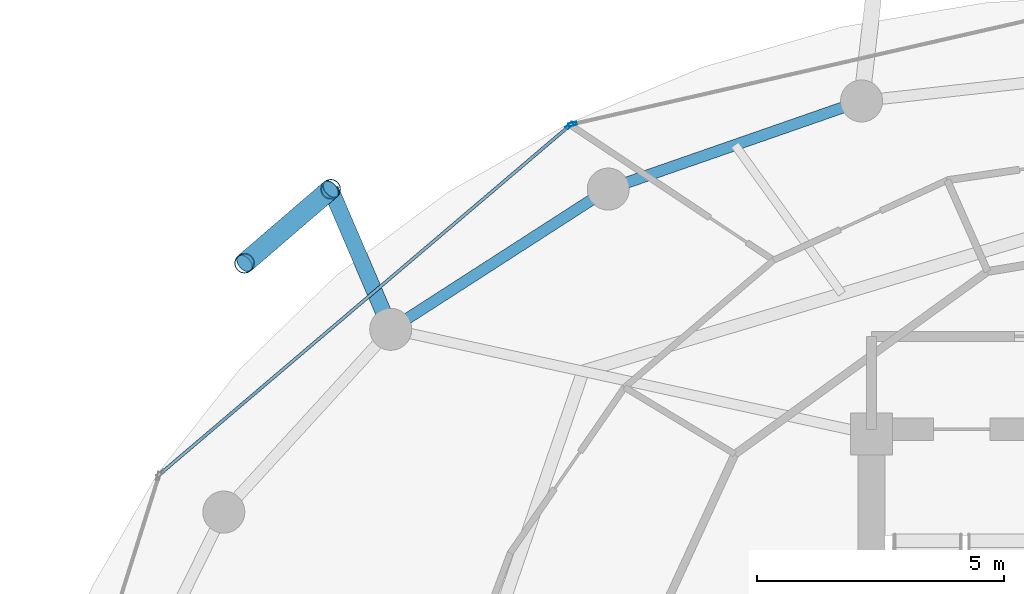
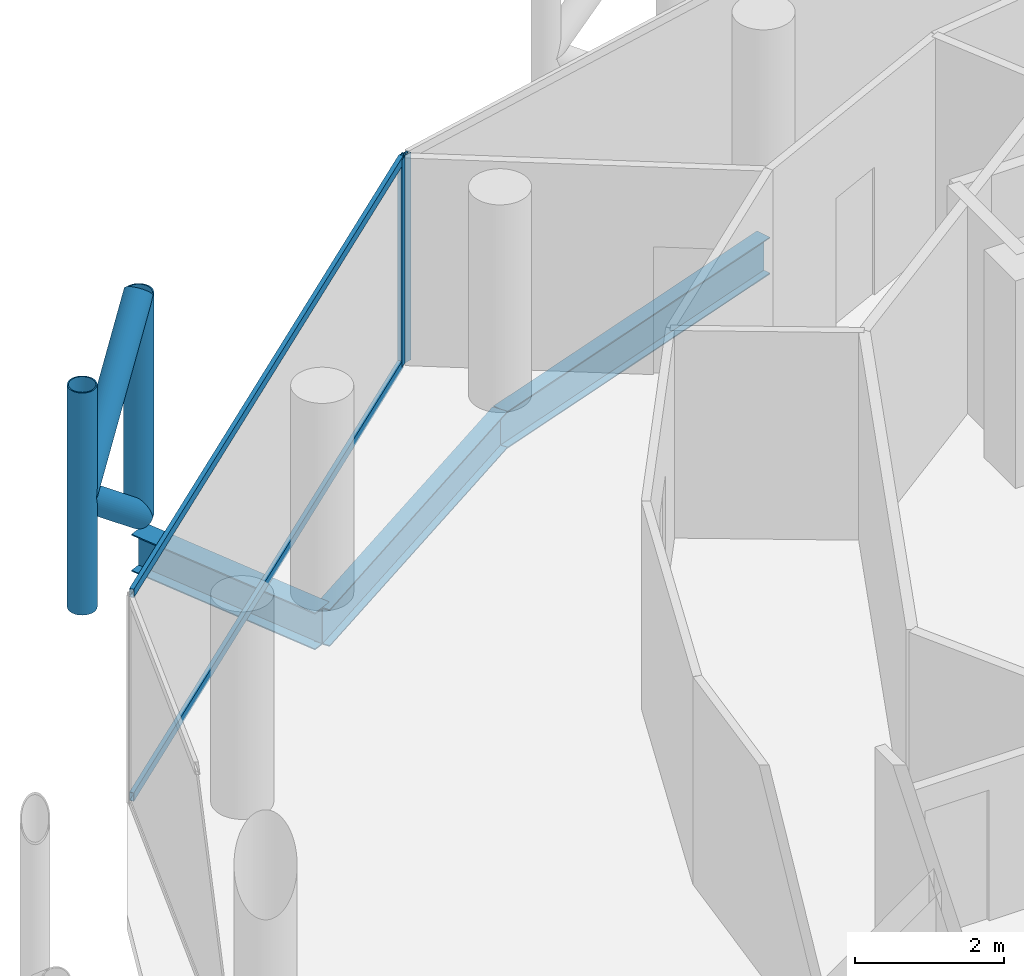
# One storey, part 18 of 27: 8 members, 3 beams, 2 elements without a shape of their own.
"""IFC4 building model written with IfcOpenShell, lengths in metres."""

from ifc_helpers import new_model, si_unit, direction, frame, origin, origin_2d, place, context, subcontext, project, spatial, hollow_rectangle, hollow_circle, i_section, extrude, material, layer, layer_set, material_profile, profile_set, type_object, element, aggregate, save


model = new_model("IFC4")

# Units and contexts
model_context = context("Model", 3, precision=1e-05, world=origin(), true_north=direction((0.0, 1.0)))
body_context = subcontext(model_context, "Body", "Model", "MODEL_VIEW")
ifc_project = project(units=[si_unit("LENGTHUNIT", "METRE"), si_unit("AREAUNIT", "SQUARE_METRE"), si_unit("VOLUMEUNIT", "CUBIC_METRE"), si_unit("PLANEANGLEUNIT", "RADIAN"), si_unit("MASSUNIT", "GRAM", prefix="KILO")], contexts=[model_context])

# Site, building, storey
site_placement = place(None, origin())
site = spatial("IfcSite", under=ifc_project, at=site_placement, CompositionType="ELEMENT")
building_placement = place(site_placement, origin())
building = spatial("IfcBuilding", under=site, at=building_placement, Name="Nuhasar Tower", CompositionType="ELEMENT")
storey_placement = place(building_placement, frame((0.0, 0.0, 237.35009765625)))
storey = spatial("IfcBuildingStorey", under=building, at=storey_placement, Name="L58", CompositionType="ELEMENT", Elevation=237.35009765625)

# Beams
ifc_material_1 = material(Name="Steel S355", Category="steel")
ifc_material_profile_1 = material_profile(ifc_material_1, i_section(OverallWidth=0.22802734375, OverallDepth=0.60791015625, WebThickness=0.01123046875, FlangeThickness=0.017333984375, at=origin_2d()), Name="W24X76")
ifc_profile_set_1 = profile_set([ifc_material_profile_1], Name="Steel S355")
beam_type_1 = type_object("IfcBeamType", Name="BM-RING-W24X76", PredefinedType="SPANDREL", material=ifc_profile_set_1)
beam_1_placement = place(storey_placement, frame((33.5, 44.0419921875, -0.544189453125), z_axis=(-0.944476764686, -0.328578211342, 0.0), x_axis=(0.328578211342, -0.944476764686, 0.0)))
element("IfcBeam", 1, at=beam_1_placement, inside=storey, type_object=beam_type_1, Name="L58 Perimeter Ring Spandrel 08", PredefinedType="SPANDREL", context=body_context, shape_type="SweptSolid", body=[
    extrude(i_section(OverallWidth=0.22802734375, OverallDepth=0.60791015625, WebThickness=0.01123046875, FlangeThickness=0.017333984375, at=origin_2d()), origin(), (0.0, 0.0, 1.0), 5.42626953125),
])
beam_2_placement = place(storey_placement, frame((28.375, 42.259033203125, -0.544189453125), z_axis=(-0.840502144969, -0.541808217272, 0.0), x_axis=(0.541808217272, -0.840502144969, 0.0)))
element("IfcBeam", 2, at=beam_2_placement, inside=storey, type_object=beam_type_1, Name="L58 Perimeter Ring Spandrel 09", PredefinedType="SPANDREL", context=body_context, shape_type="SweptSolid", body=[
    extrude(i_section(OverallWidth=0.22802734375, OverallDepth=0.60791015625, WebThickness=0.01123046875, FlangeThickness=0.017333984375, at=origin_2d()), origin(), (0.0, 0.0, 1.0), 5.236083984375),
])
ifc_material_profile_2 = material_profile(ifc_material_1, i_section(OverallWidth=0.323974609375, OverallDepth=0.611083984375, WebThickness=0.0126953125, FlangeThickness=0.01904296875, at=origin_2d()), Name="W24X104")
ifc_profile_set_2 = profile_set([ifc_material_profile_2], Name="Steel S355")
beam_type_2 = type_object("IfcBeamType", Name="BM-TIE-W24X104", PredefinedType="BEAM", material=ifc_profile_set_2)
beam_3_placement = place(storey_placement, frame((23.97412109375, 39.422119140625, -0.545166015625), z_axis=(-0.393680429682, 0.919247365667, 0.0), x_axis=(-0.919247365667, -0.393680429682, 0.0)))
element("IfcBeam", 3, at=beam_3_placement, inside=storey, type_object=beam_type_2, Name="L58 Exoskeleton Node Tie Beam 05", PredefinedType="BEAM", context=body_context, shape_type="SweptSolid", body=[
    extrude(i_section(OverallWidth=0.323974609375, OverallDepth=0.611083984375, WebThickness=0.0126953125, FlangeThickness=0.01904296875, at=origin_2d()), origin(), (0.0, 0.0, 1.0), 3.083984375),
])

# Curtain wall, member
ifc_material_2 = material(Name="Aluminium 6063-T6", Category="aluminium")
ifc_layer = layer(ifc_material_2, 0.18994140625)
ifc_layer_set = layer_set([ifc_layer], Name="Aluminium 6063-T6")
curtain_wall_type = type_object("IfcCurtainWallType", Name="CW-Z3-RES", PredefinedType="NOTDEFINED", material=ifc_layer_set)
curtain_wall_1_placement = place(storey_placement, origin())
curtain_wall_1 = element("IfcCurtainWall", 4, at=curtain_wall_1_placement, inside=storey, type_object=curtain_wall_type, Name="L58 Unitised Curtain Wall 04", PredefinedType="NOTDEFINED")
ifc_material_profile_3 = material_profile(ifc_material_2, hollow_rectangle(XDim=0.06494140625, YDim=0.169921875, WallThickness=0.0048828125, at=origin_2d()), Name="CWM-4")
ifc_profile_set_3 = profile_set([ifc_material_profile_3], Name="Aluminium 6063-T6")
member_type_1 = type_object("IfcMemberType", Name="CW-MUL-S4", PredefinedType="MULLION", material=ifc_profile_set_3)
member_1_placement = place(storey_placement, frame((27.651611328125, 43.5732421875, 0.0), z_axis=(0.0, 0.0, 1.0), x_axis=(0.222243176313, -0.974991266926, 0.0)))
member_1 = element("IfcMember", 5, at=member_1_placement, type_object=member_type_1, Name="CW-Z3 mullion 2", PredefinedType="MULLION", context=body_context, shape_type="SweptSolid", body=[
    extrude(hollow_rectangle(XDim=0.06494140625, YDim=0.169921875, WallThickness=0.0048828125, at=origin_2d()), origin(), (0.0, 0.0, 1.0), 3.409912109375),
])
aggregate(curtain_wall_1, [member_1])

# Curtain wall, members
curtain_wall_2_placement = place(storey_placement, origin())
curtain_wall_2 = element("IfcCurtainWall", 6, at=curtain_wall_2_placement, inside=storey, type_object=curtain_wall_type, Name="L58 Unitised Curtain Wall 05", PredefinedType="NOTDEFINED")
member_2_placement = place(storey_placement, frame((27.59521484375, 43.544921875, 0.0), z_axis=(0.0, 0.0, 1.0), x_axis=(0.64789521578, -0.761729472562, 0.0)))
member_2 = element("IfcMember", 7, at=member_2_placement, type_object=member_type_1, Name="CW-Z3 mullion 1", PredefinedType="MULLION", context=body_context, shape_type="SweptSolid", body=[
    extrude(hollow_rectangle(XDim=0.06494140625, YDim=0.169921875, WallThickness=0.0048828125, at=origin_2d()), origin(), (0.0, 0.0, 1.0), 3.409912109375),
])
ifc_material_profile_4 = material_profile(ifc_material_2, hollow_rectangle(XDim=0.06494140625, YDim=0.139892578125, WallThickness=0.00439453125, at=origin_2d()), Name="CWT-4")
ifc_profile_set_4 = profile_set([ifc_material_profile_4], Name="Aluminium 6063-T6")
member_type_2 = type_object("IfcMemberType", Name="CW-TRN-S4", PredefinedType="USERDEFINED", material=ifc_profile_set_4)
member_3_placement = place(storey_placement, frame((27.570556640625, 43.52392578125, 0.032470703125), z_axis=(-0.761730809511, -0.647893643928, 0.0), x_axis=(0.647893643928, -0.761730809511, 0.0)))
member_3 = element("IfcMember", 8, at=member_3_placement, type_object=member_type_2, Name="CW-Z3 transom 1.1", ObjectType="TRANSOM", PredefinedType="USERDEFINED", context=body_context, shape_type="SweptSolid", body=[
    extrude(hollow_rectangle(XDim=0.06494140625, YDim=0.139892578125, WallThickness=0.00439453125, at=origin_2d()), origin(), (0.0, 0.0, 1.0), 10.806884765625),
])
member_4_placement = place(storey_placement, frame((27.570556640625, 43.52392578125, 3.37744140625), z_axis=(-0.761730809511, -0.647893643928, 0.0), x_axis=(0.647893643928, -0.761730809511, 0.0)))
member_4 = element("IfcMember", 9, at=member_4_placement, type_object=member_type_2, Name="CW-Z3 transom 1.2", ObjectType="TRANSOM", PredefinedType="USERDEFINED", context=body_context, shape_type="SweptSolid", body=[
    extrude(hollow_rectangle(XDim=0.06494140625, YDim=0.139892578125, WallThickness=0.00439453125, at=origin_2d()), origin(), (0.0, 0.0, 1.0), 10.806884765625),
])
aggregate(curtain_wall_2, [member_2, member_3, member_4])

# Members
ifc_material_3 = material(Name="Steel S460", Category="steel")
ifc_material_profile_5 = material_profile(ifc_material_3, hollow_circle(Radius=0.203125, WallThickness=0.01904296875, at=origin_2d()), Name="HSS406.4X19.1")
ifc_profile_set_5 = profile_set([ifc_material_profile_5], Name="Steel S460")
member_type_3 = type_object("IfcMemberType", Name="EXO-BRONZE-406", PredefinedType="BRACE", material=ifc_profile_set_5)
for number, where, z_axis, x_axis, name in (
    (10, (22.760009765625, 42.257080078125, 0.0), (0.0, 0.0, 1.0), (1.0, 0.0, 0.0), "L58 Exoskeleton Chord Column EC-05A"),
    (11, (21.01611328125, 40.758056640625, 0.0), (0.0, 0.0, 1.0), (1.0, 0.0, 0.0), "L58 Exoskeleton Chord Column EC-05B"),
):
    element("IfcMember", number, at=place(storey_placement, frame(where, z_axis=z_axis, x_axis=x_axis)), inside=storey, type_object=member_type_3, Name=name, PredefinedType="BRACE", context=body_context, shape_type="SweptSolid", body=[
        extrude(hollow_circle(Radius=0.203125, WallThickness=0.01904296875, at=origin_2d()), origin(), (0.0, 0.0, 1.0), 3.64990234375),
    ])
for number, where, z_axis, x_axis, name in (
    (12, (22.760009765625, 42.257080078125, 0.0), (-0.594018535389, -0.510608120858, 0.621627964725), (0.65185738425, -0.758341579104, 0.0), "L58 Bronze Diagrid Brace W1-05"),
    (13, (21.01611328125, 40.758056640625, 1.824951171875), (0.594018535389, 0.510608120858, 0.621627964725), (-0.65185738425, 0.758341579104, 0.0), "L58 Bronze Diagrid Brace W2-05"),
):
    element("IfcMember", number, at=place(storey_placement, frame(where, z_axis=z_axis, x_axis=x_axis)), inside=storey, type_object=member_type_3, Name=name, PredefinedType="BRACE", context=body_context, shape_type="SweptSolid", body=[
        extrude(hollow_circle(Radius=0.203125, WallThickness=0.01904296875, at=origin_2d()), origin(), (0.0, 0.0, 1.0), 2.935791015625),
    ])

save(model, "model.ifc")
